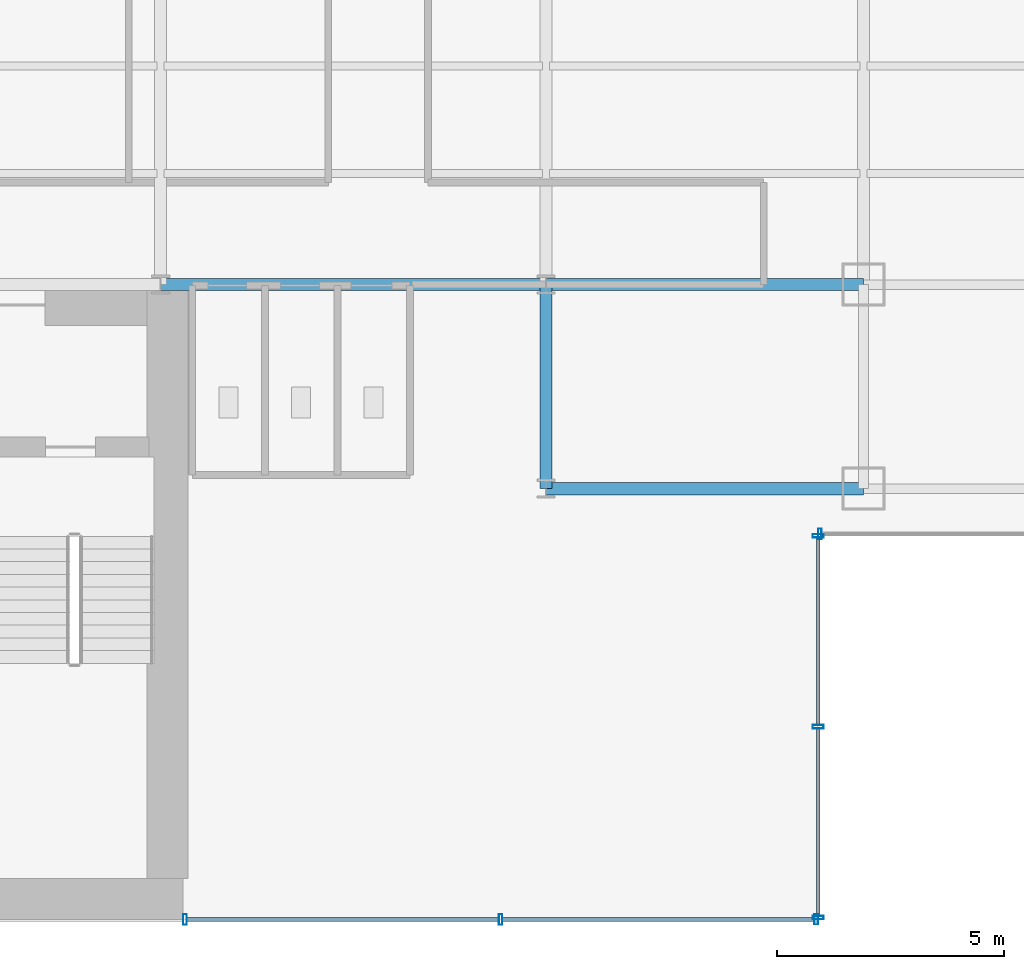
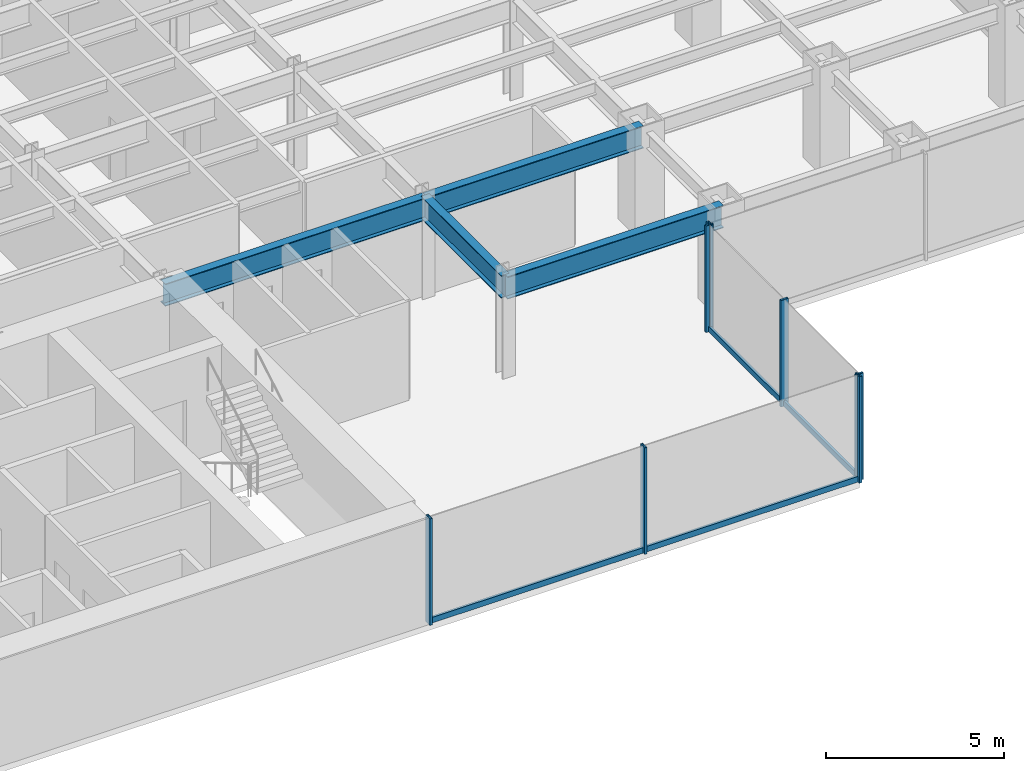
# One storey, part 6 of 23: 11 members, 4 beams, 3 elements without a shape of their own.
"""IFC4 building model written with IfcOpenShell, lengths in metres."""

from ifc_helpers import new_model, si_unit, derived_unit, direction, frame, origin, origin_2d, place, context, subcontext, project, spatial, hollow_rectangle, i_section, extrude, source, transform, mapped, material, material_profile, profile_set, type_object, element, aggregate, save


model = new_model("IFC4")

# Units and contexts
model_context = context("Model", 3, precision=1e-05, world=origin(), true_north=direction((0.0, 1.0)))
body_context = subcontext(model_context, "Body", "Model", "MODEL_VIEW")
ifc_project = project(units=[si_unit("LENGTHUNIT", "METRE"), si_unit("AREAUNIT", "SQUARE_METRE"), si_unit("VOLUMEUNIT", "CUBIC_METRE"), si_unit("PLANEANGLEUNIT", "RADIAN"), si_unit("MASSUNIT", "GRAM", prefix="KILO"), derived_unit("THERMALTRANSMITTANCEUNIT", [(si_unit("POWERUNIT", "WATT"), 1), (si_unit("LENGTHUNIT", "METRE"), -2), (si_unit("THERMODYNAMICTEMPERATUREUNIT", "KELVIN"), -1)])], contexts=[model_context])

# Site, building, storey
site_placement = place(None, origin())
site = spatial("IfcSite", under=ifc_project, at=site_placement, CompositionType="ELEMENT")
building_placement = place(site_placement, origin())
building = spatial("IfcBuilding", under=site, at=building_placement, Name="Skarnbrae Concourse Arena and Tower", CompositionType="ELEMENT")
storey_placement = place(building_placement, frame((0.0, 0.0, 54.39990234375)))
storey = spatial("IfcBuildingStorey", under=building, at=storey_placement, Name="L12", CompositionType="ELEMENT", Elevation=54.39990234375)

# Beams
ifc_material_1 = material(Name="Steel CSA G40.21 350W", Category="steel")
ifc_material_profile_1 = material_profile(ifc_material_1, i_section(OverallWidth=0.26806640625, OverallDepth=0.77001953125, WebThickness=0.015625, FlangeThickness=0.025390625, at=origin_2d()), Name="W760X196")
ifc_profile_set_1 = profile_set([ifc_material_profile_1], Name="Steel CSA G40.21 350W")
beam_type = type_object("IfcBeamType", Name="BM-GIRD-W760X196", PredefinedType="BEAM", material=ifc_profile_set_1)
shared_shape_1 = source(origin(), body_context, "Body", "SweptSolid", [
    extrude(i_section(OverallWidth=0.26806640625, OverallDepth=0.77001953125, WebThickness=0.015625, FlangeThickness=0.025390625, at=origin_2d()), origin(), (0.0, 0.0, 1.0), 7.0),
])
for number, where, z_axis, x_axis, name in (
    (1, (42.0, 9.5, 3.01513671875), (1.0, 0.0, 0.0), (0.0, 1.0, 0.0), "L12 Primary E-W girder Y9.5-2"),
    (2, (42.0, 14.0, 3.01513671875), (1.0, 0.0, 0.0), (0.0, 1.0, 0.0), "L12 Primary E-W girder Y14.0-7"),
):
    element("IfcBeam", number, at=place(storey_placement, frame(where, z_axis=z_axis, x_axis=x_axis)), inside=storey, type_object=beam_type, Name=name, PredefinedType="BEAM", context=body_context, shape_type="MappedRepresentation", body=[
        mapped(shared_shape_1, transform((0.0, 0.0, 0.0))),
    ])
shared_shape_2 = source(origin(), body_context, "Body", "SweptSolid", [
    extrude(i_section(OverallWidth=0.26806640625, OverallDepth=0.77001953125, WebThickness=0.015625, FlangeThickness=0.025390625, at=origin_2d()), origin(), (0.0, 0.0, 1.0), 8.5),
])
beam_1_placement = place(storey_placement, frame((33.5, 14.0, 3.01513671875), z_axis=(1.0, 0.0, 0.0), x_axis=(0.0, 1.0, 0.0)))
element("IfcBeam", 3, at=beam_1_placement, inside=storey, type_object=beam_type, Name="L12 Primary E-W girder Y14.0-6", PredefinedType="BEAM", context=body_context, shape_type="MappedRepresentation", body=[
    mapped(shared_shape_2, transform((0.0, 0.0, 0.0))),
])
shared_shape_3 = source(origin(), body_context, "Body", "SweptSolid", [
    extrude(i_section(OverallWidth=0.26806640625, OverallDepth=0.77001953125, WebThickness=0.015625, FlangeThickness=0.025390625, at=origin_2d()), origin(), (0.0, 0.0, 1.0), 4.5),
])
beam_2_placement = place(storey_placement, frame((42.0, 9.5, 3.01513671875), z_axis=(0.0, 1.0, 0.0), x_axis=(-1.0, 0.0, 0.0)))
element("IfcBeam", 4, at=beam_2_placement, inside=storey, type_object=beam_type, Name="L12 Primary N-S girder X42.0-1", PredefinedType="BEAM", context=body_context, shape_type="MappedRepresentation", body=[
    mapped(shared_shape_3, transform((0.0, 0.0, 0.0))),
])

# Curtain wall, members
ifc_material_2 = material(Name="Bronze anodised aluminium 6063-T6", Category="aluminium")
curtain_wall_type = type_object("IfcCurtainWallType", Name="CW-SYS-02-LOWZONE", PredefinedType="USERDEFINED", material=ifc_material_2)
curtain_wall_1_placement = place(storey_placement, origin())
curtain_wall_1 = element("IfcCurtainWall", 5, at=curtain_wall_1_placement, inside=storey, type_object=curtain_wall_type, Name="L12 Unitised curtain wall CW-L12-SE-SPINE", ObjectType="UNITISED CURTAIN WALL", PredefinedType="USERDEFINED")
ifc_material_profile_2 = material_profile(ifc_material_2, hollow_rectangle(XDim=0.080078125, YDim=0.18994140625, WallThickness=0.0048828125, at=origin_2d()), Name="ALU-TRAN-80X190")
ifc_profile_set_2 = profile_set([ifc_material_profile_2], Name="Bronze anodised aluminium 6063-T6")
member_type_1 = type_object("IfcMemberType", Name="CWT-CW-02", PredefinedType="USERDEFINED", material=ifc_profile_set_2)
shared_shape_4 = source(origin(), body_context, "Body", "SweptSolid", [
    extrude(hollow_rectangle(XDim=0.080078125, YDim=0.18994140625, WallThickness=0.0048828125, at=origin_2d()), origin(), (0.0, 0.0, 1.0), 6.8798828125),
])
member_1_placement = place(storey_placement, frame((34.080078125, 0.0, 0.09521484375), z_axis=(1.0, 0.0, 0.0), x_axis=(0.0, 1.0, 0.0)))
member_1 = element("IfcMember", 6, at=member_1_placement, type_object=member_type_1, Name="CW-L12-SE-SPINE Transom 1", ObjectType="TRANSOM", PredefinedType="USERDEFINED", context=body_context, shape_type="MappedRepresentation", body=[
    mapped(shared_shape_4, transform((0.0, 0.0, 0.0))),
])
member_2_placement = place(storey_placement, frame((41.0400390625, 0.0, 0.09521484375), z_axis=(1.0, 0.0, 0.0), x_axis=(0.0, 1.0, 0.0)))
member_2 = element("IfcMember", 7, at=member_2_placement, type_object=member_type_1, Name="CW-L12-SE-SPINE Transom 2", ObjectType="TRANSOM", PredefinedType="USERDEFINED", context=body_context, shape_type="MappedRepresentation", body=[
    mapped(shared_shape_4, transform((0.0, 0.0, 0.0))),
])

curtain_wall_2_placement = place(storey_placement, origin())
curtain_wall_2 = element("IfcCurtainWall", 8, at=curtain_wall_2_placement, inside=storey, type_object=curtain_wall_type, Name="L12 Unitised curtain wall CW-L12-E02", ObjectType="UNITISED CURTAIN WALL", PredefinedType="USERDEFINED")
shared_shape_5 = source(origin(), body_context, "Body", "SweptSolid", [
    extrude(hollow_rectangle(XDim=0.080078125, YDim=0.18994140625, WallThickness=0.0048828125, at=origin_2d()), origin(), (0.0, 0.0, 1.0), 4.1298828125),
])
member_3_placement = place(storey_placement, frame((48.0, 0.080078125, 0.09521484375), z_axis=(0.0, 1.0, 0.0), x_axis=(-1.0, 0.0, 0.0)))
member_3 = element("IfcMember", 9, at=member_3_placement, type_object=member_type_1, Name="CW-L12-E02 Transom 1", ObjectType="TRANSOM", PredefinedType="USERDEFINED", context=body_context, shape_type="MappedRepresentation", body=[
    mapped(shared_shape_5, transform((0.0, 0.0, 0.0))),
])
member_4_placement = place(storey_placement, frame((48.0, 4.2900390625, 0.09521484375), z_axis=(0.0, 1.0, 0.0), x_axis=(-1.0, 0.0, 0.0)))
member_4 = element("IfcMember", 10, at=member_4_placement, type_object=member_type_1, Name="CW-L12-E02 Transom 2", ObjectType="TRANSOM", PredefinedType="USERDEFINED", context=body_context, shape_type="MappedRepresentation", body=[
    mapped(shared_shape_5, transform((0.0, 0.0, 0.0))),
])

# Member
ifc_material_profile_3 = material_profile(ifc_material_2, hollow_rectangle(XDim=0.080078125, YDim=0.239990234375, WallThickness=0.0048828125, at=origin_2d()), Name="ALU-MULL-80X240")
ifc_profile_set_3 = profile_set([ifc_material_profile_3], Name="Bronze anodised aluminium 6063-T6")
member_type_2 = type_object("IfcMemberType", Name="CWM-CW-02", PredefinedType="MULLION", material=ifc_profile_set_3)
shared_shape_6 = source(origin(), body_context, "Body", "SweptSolid", [
    extrude(hollow_rectangle(XDim=0.080078125, YDim=0.239990234375, WallThickness=0.0048828125, at=origin_2d()), origin(), (0.0, 0.0, 1.0), 3.650146484375),
])
member_5_placement = place(storey_placement, frame((34.0400390625, 0.0, 0.0), z_axis=(0.0, 0.0, 1.0), x_axis=(1.0, 0.0, 0.0)))
member_5 = element("IfcMember", 11, at=member_5_placement, type_object=member_type_2, Name="CW-L12-SE-SPINE Mullion 1", PredefinedType="MULLION", context=body_context, shape_type="MappedRepresentation", body=[
    mapped(shared_shape_6, transform((0.0, 0.0, 0.0))),
])

member_6_placement = place(storey_placement, frame((41.0, 0.0, 0.0), z_axis=(0.0, 0.0, 1.0), x_axis=(1.0, 0.0, 0.0)))
member_6 = element("IfcMember", 12, at=member_6_placement, type_object=member_type_2, Name="CW-L12-SE-SPINE Mullion 2", PredefinedType="MULLION", context=body_context, shape_type="MappedRepresentation", body=[
    mapped(shared_shape_6, transform((0.0, 0.0, 0.0))),
])

member_7_placement = place(storey_placement, frame((47.9599609375, 0.0, 0.0), z_axis=(0.0, 0.0, 1.0), x_axis=(1.0, 0.0, 0.0)))
member_7 = element("IfcMember", 13, at=member_7_placement, type_object=member_type_2, Name="CW-L12-SE-SPINE Mullion 3", PredefinedType="MULLION", context=body_context, shape_type="MappedRepresentation", body=[
    mapped(shared_shape_6, transform((0.0, 0.0, 0.0))),
])

aggregate(curtain_wall_1, [member_5, member_6, member_7, member_1, member_2])

member_8_placement = place(storey_placement, frame((48.0, 0.0400390625, 0.0), z_axis=(0.0, 0.0, 1.0), x_axis=(0.0, 1.0, 0.0)))
member_8 = element("IfcMember", 14, at=member_8_placement, type_object=member_type_2, Name="CW-L12-E02 Mullion 1", PredefinedType="MULLION", context=body_context, shape_type="MappedRepresentation", body=[
    mapped(shared_shape_6, transform((0.0, 0.0, 0.0))),
])

member_9_placement = place(storey_placement, frame((48.0, 4.25, 0.0), z_axis=(0.0, 0.0, 1.0), x_axis=(0.0, 1.0, 0.0)))
member_9 = element("IfcMember", 15, at=member_9_placement, type_object=member_type_2, Name="CW-L12-E02 Mullion 2", PredefinedType="MULLION", context=body_context, shape_type="MappedRepresentation", body=[
    mapped(shared_shape_6, transform((0.0, 0.0, 0.0))),
])

member_10_placement = place(storey_placement, frame((48.0, 8.4599609375, 0.0), z_axis=(0.0, 0.0, 1.0), x_axis=(0.0, 1.0, 0.0)))
member_10 = element("IfcMember", 16, at=member_10_placement, type_object=member_type_2, Name="CW-L12-E02 Mullion 3", PredefinedType="MULLION", context=body_context, shape_type="MappedRepresentation", body=[
    mapped(shared_shape_6, transform((0.0, 0.0, 0.0))),
])

aggregate(curtain_wall_2, [member_8, member_9, member_10, member_3, member_4])

# Curtain wall, member
curtain_wall_3_placement = place(storey_placement, origin())
curtain_wall_3 = element("IfcCurtainWall", 17, at=curtain_wall_3_placement, inside=storey, type_object=curtain_wall_type, Name="L12 Unitised curtain wall CW-L12-E03", ObjectType="UNITISED CURTAIN WALL", PredefinedType="USERDEFINED")
member_11_placement = place(storey_placement, frame((48.0400390625, 8.5, 0.0), z_axis=(0.0, 0.0, 1.0), x_axis=(1.0, 0.0, 0.0)))
member_11 = element("IfcMember", 18, at=member_11_placement, type_object=member_type_2, Name="CW-L12-E03 Mullion 1", PredefinedType="MULLION", context=body_context, shape_type="MappedRepresentation", body=[
    mapped(shared_shape_6, transform((0.0, 0.0, 0.0))),
])
aggregate(curtain_wall_3, [member_11])

save(model, "model.ifc")
